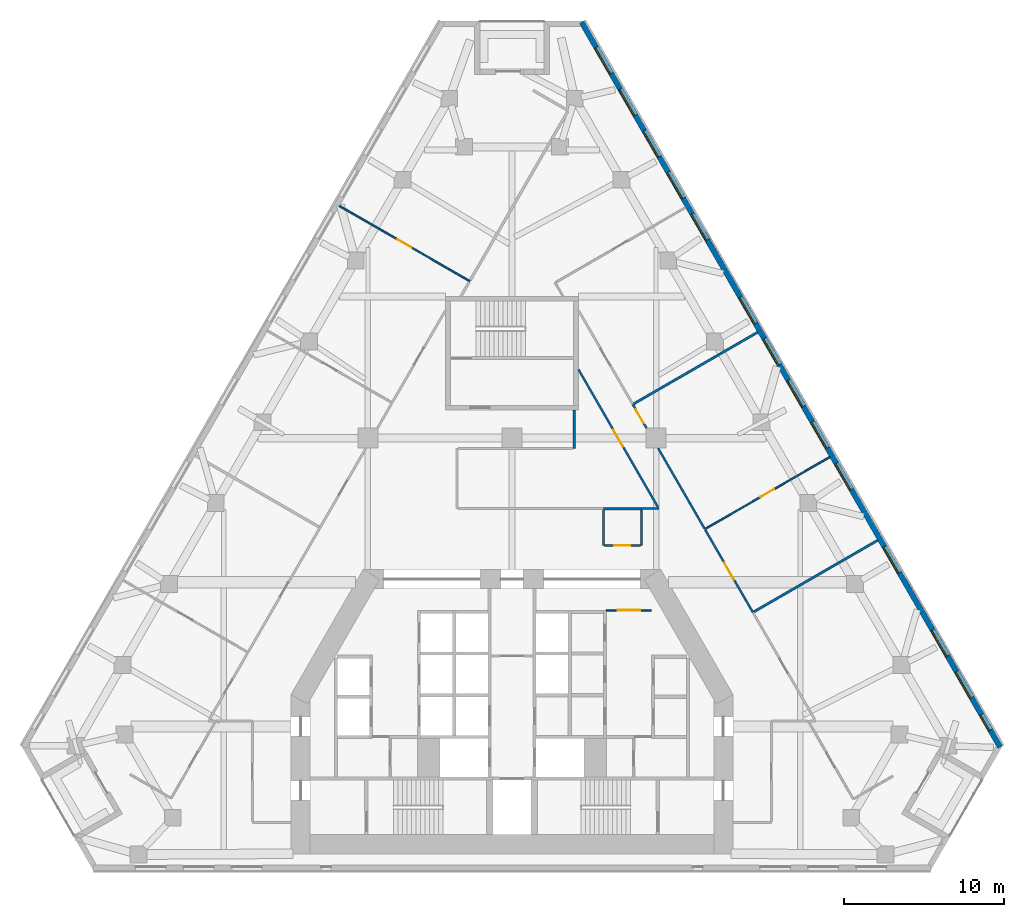
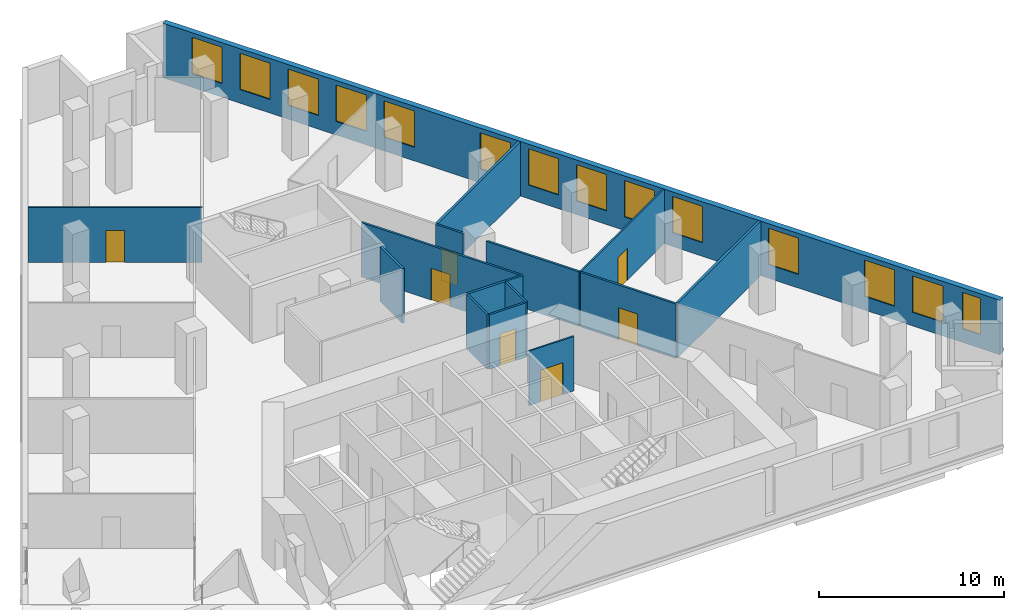
# One storey, part 7 of 9: 16 walls, 14 windows, 7 doors, 21 openings.
"""IFC4 building model written with IfcOpenShell, lengths in metres."""

import ifcopenshell
import ifcopenshell.guid

model = None  # the IFC model being written
_history = None  # IfcOwnerHistory: only IFC2X3 demands one
_inside = {}  # id of a spatial element -> (the spatial element, [elements in it])
_under = {}  # id of a project, library or spatial element -> (it, [spatial elements below it])
_declared = {}  # id of a project -> (the project, [libraries it declares])
_typed = {}  # id of a type object -> (the type object, [elements of that type])
_made_of = {}  # id of a material, layer set ... -> (it, [elements and type objects made of it])


def new_model(schema):
    """Start an empty IFC model of exactly this schema.

    Asked for "IFC4X3", IfcOpenShell would pick the latest addendum, in which some entities
    have other attributes; the version numbers below select the first issue.
    IFC2X3 requires an IfcOwnerHistory on every rooted entity: one is made here for all.
    """
    global model, _history
    if schema == "IFC4X3":
        model = ifcopenshell.file(schema_version=(4, 3, 0, 0))
    else:
        model = ifcopenshell.file(schema=schema)
    _inside.clear()
    _under.clear()
    _declared.clear()
    _typed.clear()
    _made_of.clear()
    _history = None
    if model.schema == "IFC2X3":
        org = make("IfcOrganization", Name="unknown")
        user = make(
            "IfcPersonAndOrganization",
            ThePerson=make("IfcPerson", FamilyName="unknown"),
            TheOrganization=org,
        )
        app = make(
            "IfcApplication",
            ApplicationDeveloper=org,
            Version="unknown",
            ApplicationFullName="unknown",
            ApplicationIdentifier="unknown",
        )
        _history = make(
            "IfcOwnerHistory",
            OwningUser=user,
            OwningApplication=app,
            ChangeAction="ADDED",
            CreationDate=0,
        )
    return model


def make(cls, **values):
    """One entity of the class cls with the attributes given. An attribute that is None is left unset."""
    return model.create_entity(
        cls, **{name: value for name, value in values.items() if value is not None}
    )


def rooted(cls, **values):
    """An entity with a GlobalId (a new one), such as an element, a storey or a relation."""
    return make(cls, GlobalId=ifcopenshell.guid.new(), OwnerHistory=_history, **values)


def si_unit(unit_type, name, prefix=None):
    """IfcSIUnit, for example si_unit("LENGTHUNIT", "METRE", prefix="MILLI")."""
    return make("IfcSIUnit", UnitType=unit_type, Prefix=prefix, Name=name)


def assignment(units):
    """IfcUnitAssignment: the units of a project."""
    return None if units is None else make("IfcUnitAssignment", Units=units)


def point(xyz):
    """IfcCartesianPoint."""
    return None if xyz is None else make("IfcCartesianPoint", Coordinates=xyz)


def direction(xyz):
    """IfcDirection."""
    return None if xyz is None else make("IfcDirection", DirectionRatios=xyz)


def frame(location, z_axis=None, x_axis=None):
    """IfcAxis2Placement3D, a coordinate frame: its origin and axes. An axis left out is left unset."""
    return make(
        "IfcAxis2Placement3D",
        Location=point(location),
        Axis=direction(z_axis),
        RefDirection=direction(x_axis),
    )


def frame_2d(location, x_axis=None):
    """IfcAxis2Placement2D, a coordinate frame in the plane: its origin and x axis."""
    return make(
        "IfcAxis2Placement2D", Location=point(location), RefDirection=direction(x_axis)
    )


def origin():
    """The frame at (0, 0, 0) with its axes left unset."""
    return frame((0.0, 0.0, 0.0))


def place(relative_to, where):
    """IfcLocalPlacement: puts the frame where relative to a parent placement (None: the world)."""
    return make(
        "IfcLocalPlacement", PlacementRelTo=relative_to, RelativePlacement=where
    )


def context(
    kind, dimensions, precision=None, world=None, true_north=None, identifier=None
):
    """IfcGeometricRepresentationContext, for example the 3D "Model" context."""
    return make(
        "IfcGeometricRepresentationContext",
        ContextIdentifier=identifier,
        ContextType=kind,
        CoordinateSpaceDimension=dimensions,
        Precision=precision,
        WorldCoordinateSystem=world,
        TrueNorth=true_north,
    )


def subcontext(parent, identifier, kind, view, scale=None):
    """IfcGeometricRepresentationSubContext, for example "Body" below "Model"."""
    return make(
        "IfcGeometricRepresentationSubContext",
        ContextIdentifier=identifier,
        ContextType=kind,
        ParentContext=parent,
        TargetScale=scale,
        TargetView=view,
    )


def project(units=None, contexts=None):
    """IfcProject with its units and contexts."""
    return rooted(
        "IfcProject",
        Name="project",
        RepresentationContexts=contexts,
        UnitsInContext=assignment(units),
    )


def spatial(cls, under=None, at=None, **own):
    """A site, building, storey or space (cls), placed at a placement, below another one or the project."""
    s = rooted(cls, ObjectPlacement=at, **own)
    if under is not None:
        _under.setdefault(under.id(), (under, []))[1].append(s)
    return s


def profile(cls, at=None, kind="AREA", **sizes):
    """A parametric profile (cls). Its sizes go by their IFC names, for example OverallWidth=200.0."""
    return make(cls, ProfileType=kind, Position=at, **sizes)


def rectangle(**sizes):
    """IfcRectangleProfileDef."""
    return profile("IfcRectangleProfileDef", **sizes)


def extrude(swept, where, along, depth):
    """IfcExtrudedAreaSolid: the profile swept, set in the frame where, extruded along a direction by depth."""
    return make(
        "IfcExtrudedAreaSolid",
        SweptArea=swept,
        Position=where,
        ExtrudedDirection=direction(along),
        Depth=depth,
    )


def shape(context_of_items, identifier, shape_type, items):
    """IfcShapeRepresentation: the items that make up one representation, for example the "Body"."""
    return make(
        "IfcShapeRepresentation",
        ContextOfItems=context_of_items,
        RepresentationIdentifier=identifier,
        RepresentationType=shape_type,
        Items=items,
    )


def material(Name=None, Category=None):
    """IfcMaterial."""
    return make("IfcMaterial", Name=Name, Category=Category)


def layer(
    of_material, thickness, ventilated=None, Name=None, Category=None, Priority=None
):
    """IfcMaterialLayer: one layer of a wall or slab, of a material (None: an air gap)."""
    return make(
        "IfcMaterialLayer",
        Material=of_material,
        LayerThickness=thickness,
        IsVentilated=ventilated,
        Name=Name,
        Category=Category,
        Priority=Priority,
    )


def layer_set(layers, Name=None):
    """IfcMaterialLayerSet."""
    return make("IfcMaterialLayerSet", MaterialLayers=layers, LayerSetName=Name)


def made_of(thing, what):
    """Note that an element or type object is made of a material, layer set ...; save() writes the relation."""
    if what is not None:
        _made_of.setdefault(what.id(), (what, []))[1].append(thing)
    return thing


def type_object(cls, material=None, **own):
    """A type object (cls), such as IfcWallType, which elements share."""
    return made_of(rooted(cls, **own), material)


def element(
    cls,
    number,
    at=None,
    inside=None,
    cuts=None,
    type_object=None,
    material=None,
    context=None,
    identifier="Body",
    shape_type=None,
    held_by="IfcProductDefinitionShape",
    body=None,
    shapes=None,
    **own,
):
    """One element of the class cls, such as IfcWall. Its Tag is "e" and its number.

    at: its placement. inside: the storey or other place that contains it. cuts: it is an
    opening in that element (IfcRelVoidsElement). A single representation is given by context,
    identifier, shape_type and body (its items); several are given by shapes. held_by: the class
    of the entity that holds the representations. save() writes the other relations.
    """
    e = rooted(cls, Tag="e%d" % number, ObjectPlacement=at, **own)
    if body is not None:
        shapes = [shape(context, identifier, shape_type, body)]
    if shapes is not None:
        e.Representation = make(held_by, Representations=shapes)
    if inside is not None:
        _inside.setdefault(inside.id(), (inside, []))[1].append(e)
    if cuts is not None:
        rooted(
            "IfcRelVoidsElement", RelatingBuildingElement=cuts, RelatedOpeningElement=e
        )
    if type_object is not None:
        _typed.setdefault(type_object.id(), (type_object, []))[1].append(e)
    return made_of(e, material)


def fill(opening, filler):
    """IfcRelFillsElement: the door or window that sits in an opening."""
    return rooted(
        "IfcRelFillsElement",
        RelatingOpeningElement=opening,
        RelatedBuildingElement=filler,
    )


def aggregate(whole, parts):
    """IfcRelAggregates: a whole, such as a stair, and the parts it consists of."""
    return rooted("IfcRelAggregates", RelatingObject=whole, RelatedObjects=parts)


def save(model, path):
    """Write the relations noted so far, then the file.

    IfcRelAggregates (storeys below a building ...), IfcRelContainedInSpatialStructure (elements
    in a storey), IfcRelDefinesByType, IfcRelAssociatesMaterial and IfcRelDeclares: one each for
    every whole, place, type object, material and project.
    """
    for whole, parts in _under.values():
        aggregate(whole, parts)
    for where, things in _inside.values():
        rooted(
            "IfcRelContainedInSpatialStructure",
            RelatedElements=things,
            RelatingStructure=where,
        )
    for kind, things in _typed.values():
        rooted("IfcRelDefinesByType", RelatedObjects=things, RelatingType=kind)
    for what, things in _made_of.values():
        rooted("IfcRelAssociatesMaterial", RelatedObjects=things, RelatingMaterial=what)
    for by, libraries in _declared.values():
        rooted("IfcRelDeclares", RelatingContext=by, RelatedDefinitions=libraries)
    model.write(path)


model = new_model("IFC4")

# Units and contexts
model_context = context("Model", 3, precision=1e-05, world=origin(), true_north=direction((0.0, 1.0)))
body_context = subcontext(model_context, "Body", "Model", "MODEL_VIEW")
ifc_project = project(units=[si_unit("LENGTHUNIT", "METRE"), si_unit("AREAUNIT", "SQUARE_METRE"), si_unit("VOLUMEUNIT", "CUBIC_METRE"), si_unit("PLANEANGLEUNIT", "RADIAN"), si_unit("MASSUNIT", "GRAM", prefix="KILO")], contexts=[model_context])

# Site, building, storey
site_placement = place(None, origin())
site = spatial("IfcSite", under=ifc_project, at=site_placement, CompositionType="ELEMENT")
building_placement = place(site_placement, origin())
building = spatial("IfcBuilding", under=site, at=building_placement, Name="Fogline Exchange Tower", CompositionType="ELEMENT")
storey_placement = place(building_placement, frame((0.0, 0.0, 96.10009765625)))
storey = spatial("IfcBuildingStorey", under=building, at=storey_placement, Name="L20", CompositionType="ELEMENT", Elevation=96.10009765625)

# Wall, opening, door
ifc_material_1 = material(Name="Blockwork partition", Category="masonry")
ifc_layer_1 = layer(ifc_material_1, 0.10009765625)
ifc_layer_set_1 = layer_set([ifc_layer_1], Name="CW10")
wall_type_1 = type_object("IfcWallType", Name="CW10", PredefinedType="PARTITIONING", material=ifc_layer_set_1)
wall_1_placement = place(storey_placement, frame((5.89990234375, 16.25, 0.0), z_axis=(0.0, 0.0, 1.0), x_axis=(1.0, 0.0, 0.0)))
wall_1 = element("IfcWall", 1, at=wall_1_placement, inside=storey, type_object=wall_type_1, Name="Lift lobby partition", PredefinedType="PARTITIONING", context=body_context, shape_type="SweptSolid", body=[
    extrude(rectangle(XDim=2.800048828125, YDim=0.10009765625, at=frame_2d((1.39990234375, 0.0))), origin(), (0.0, 0.0, 1.0), 3.599853515625),
])
opening_1_placement = place(wall_1_placement, frame((0.699951171875, 0.0, 0.0)))
opening_1 = element("IfcOpeningElement", 2, at=opening_1_placement, cuts=wall_1, Name="Opening T06-C012", PredefinedType="OPENING", context=body_context, shape_type="SweptSolid", body=[
    extrude(rectangle(XDim=1.39990234375, YDim=2.10009765625, at=frame_2d((0.699951171875, 1.050048828125))), frame((0.0, 0.06005859375, 0.0), z_axis=(0.0, -1.0, 0.0), x_axis=(1.0, 0.0, 0.0)), (0.0, 0.0, 1.0), 0.1201171875),
])
ifc_material_2 = material(Name="Steel and timber fire door", Category="steel")
door_type_1 = type_object("IfcDoorType", Name="D-LB1", OperationType="DOUBLE_DOOR_SINGLE_SWING", PredefinedType="DOOR", material=ifc_material_2)
door_1_placement = place(opening_1_placement, origin())
door_1 = element("IfcDoor", 3, at=door_1_placement, inside=storey, type_object=door_type_1, Name="Door to lift lobby", OperationType="DOUBLE_DOOR_SINGLE_SWING", OverallHeight=2.10009765625, OverallWidth=1.39990234375, PredefinedType="DOOR", context=body_context, shape_type="SweptSolid", body=[
    extrude(rectangle(XDim=1.39990234375, YDim=2.10009765625, at=frame_2d((0.699951171875, 1.050048828125))), frame((0.0, 0.02490234375, 0.0), z_axis=(0.0, -1.0, 0.0), x_axis=(1.0, 0.0, 0.0)), (0.0, 0.0, 1.0), 0.050048828125),
])
fill(opening_1, door_1)

# Wall, openings, windows
ifc_material_3 = material(Name="Brick masonry", Category="masonry")
ifc_layer_2 = layer(ifc_material_3, 0.340087890625)
ifc_layer_set_2 = layer_set([ifc_layer_2], Name="FW1")
wall_type_2 = type_object("IfcWallType", Name="FW1", PredefinedType="SOLIDWALL", material=ifc_layer_set_2)
wall_2_placement = place(storey_placement, frame((30.49072265625, 7.709228515625, 0.0), z_axis=(0.0, 0.0, 1.0), x_axis=(-0.499998162791, 0.866026464495, 0.0)))
wall_2 = element("IfcWall", 4, at=wall_2_placement, inside=storey, type_object=wall_type_2, Name="Brick wall L20 E", PredefinedType="SOLIDWALL", context=body_context, shape_type="SweptSolid", body=[
    extrude(rectangle(XDim=52.276123046875, YDim=0.340087890625, at=frame_2d((26.13818359375, 0.0))), origin(), (0.0, 0.0, 1.0), 3.599853515625),
])
opening_2_placement = place(wall_2_placement, frame((3.569091796875, 0.0, 0.89990234375)))
opening_2 = element("IfcOpeningElement", 5, at=opening_2_placement, cuts=wall_2, Name="Opening W1", PredefinedType="OPENING", context=body_context, shape_type="SweptSolid", body=[
    extrude(rectangle(XDim=1.885009765625, YDim=2.39990234375, at=frame_2d((0.9423828125, 1.199951171875))), frame((0.0, 0.18017578125, 0.0), z_axis=(0.0, -1.0, 0.0), x_axis=(1.0, 0.0, 0.0)), (0.0, 0.0, 1.0), 0.360107421875),
])
opening_3_placement = place(wall_2_placement, frame((6.569091796875, 0.0, 0.89990234375)))
opening_3 = element("IfcOpeningElement", 6, at=opening_3_placement, cuts=wall_2, Name="Opening W1", PredefinedType="OPENING", context=body_context, shape_type="SweptSolid", body=[
    extrude(rectangle(XDim=1.885009765625, YDim=2.39990234375, at=frame_2d((0.9423828125, 1.199951171875))), frame((0.0, 0.18017578125, 0.0), z_axis=(0.0, -1.0, 0.0), x_axis=(1.0, 0.0, 0.0)), (0.0, 0.0, 1.0), 0.360107421875),
])
opening_4_placement = place(wall_2_placement, frame((12.569091796875, 0.0, 0.89990234375)))
opening_4 = element("IfcOpeningElement", 7, at=opening_4_placement, cuts=wall_2, Name="Opening W1", PredefinedType="OPENING", context=body_context, shape_type="SweptSolid", body=[
    extrude(rectangle(XDim=1.885009765625, YDim=2.39990234375, at=frame_2d((0.9423828125, 1.199951171875))), frame((0.0, 0.18017578125, 0.0), z_axis=(0.0, -1.0, 0.0), x_axis=(1.0, 0.0, 0.0)), (0.0, 0.0, 1.0), 0.360107421875),
])
opening_5_placement = place(wall_2_placement, frame((18.569091796875, 0.0, 0.89990234375)))
opening_5 = element("IfcOpeningElement", 8, at=opening_5_placement, cuts=wall_2, Name="Opening W1", PredefinedType="OPENING", context=body_context, shape_type="SweptSolid", body=[
    extrude(rectangle(XDim=1.885009765625, YDim=2.39990234375, at=frame_2d((0.9423828125, 1.199951171875))), frame((0.0, 0.18017578125, 0.0), z_axis=(0.0, -1.0, 0.0), x_axis=(1.0, 0.0, 0.0)), (0.0, 0.0, 1.0), 0.360107421875),
])
opening_6_placement = place(wall_2_placement, frame((21.569091796875, 0.0, 0.89990234375)))
opening_6 = element("IfcOpeningElement", 9, at=opening_6_placement, cuts=wall_2, Name="Opening W1", PredefinedType="OPENING", context=body_context, shape_type="SweptSolid", body=[
    extrude(rectangle(XDim=1.885009765625, YDim=2.39990234375, at=frame_2d((0.9423828125, 1.199951171875))), frame((0.0, 0.18017578125, 0.0), z_axis=(0.0, -1.0, 0.0), x_axis=(1.0, 0.0, 0.0)), (0.0, 0.0, 1.0), 0.360107421875),
])
opening_7_placement = place(wall_2_placement, frame((24.569091796875, 0.0, 0.89990234375)))
opening_7 = element("IfcOpeningElement", 10, at=opening_7_placement, cuts=wall_2, Name="Opening W1", PredefinedType="OPENING", context=body_context, shape_type="SweptSolid", body=[
    extrude(rectangle(XDim=1.885009765625, YDim=2.39990234375, at=frame_2d((0.9423828125, 1.199951171875))), frame((0.0, 0.18017578125, 0.0), z_axis=(0.0, -1.0, 0.0), x_axis=(1.0, 0.0, 0.0)), (0.0, 0.0, 1.0), 0.360107421875),
])
opening_8_placement = place(wall_2_placement, frame((27.569091796875, 0.0, 0.89990234375)))
opening_8 = element("IfcOpeningElement", 11, at=opening_8_placement, cuts=wall_2, Name="Opening W1", PredefinedType="OPENING", context=body_context, shape_type="SweptSolid", body=[
    extrude(rectangle(XDim=1.885009765625, YDim=2.39990234375, at=frame_2d((0.9423828125, 1.199951171875))), frame((0.0, 0.18017578125, 0.0), z_axis=(0.0, -1.0, 0.0), x_axis=(1.0, 0.0, 0.0)), (0.0, 0.0, 1.0), 0.360107421875),
])
opening_9_placement = place(wall_2_placement, frame((30.569091796875, 0.0, 0.89990234375)))
opening_9 = element("IfcOpeningElement", 12, at=opening_9_placement, cuts=wall_2, Name="Opening W1", PredefinedType="OPENING", context=body_context, shape_type="SweptSolid", body=[
    extrude(rectangle(XDim=1.885009765625, YDim=2.39990234375, at=frame_2d((0.9423828125, 1.199951171875))), frame((0.0, 0.18017578125, 0.0), z_axis=(0.0, -1.0, 0.0), x_axis=(1.0, 0.0, 0.0)), (0.0, 0.0, 1.0), 0.360107421875),
])
opening_10_placement = place(wall_2_placement, frame((36.569091796875, 0.0, 0.89990234375)))
opening_10 = element("IfcOpeningElement", 13, at=opening_10_placement, cuts=wall_2, Name="Opening W1", PredefinedType="OPENING", context=body_context, shape_type="SweptSolid", body=[
    extrude(rectangle(XDim=1.885009765625, YDim=2.39990234375, at=frame_2d((0.9423828125, 1.199951171875))), frame((0.0, 0.18017578125, 0.0), z_axis=(0.0, -1.0, 0.0), x_axis=(1.0, 0.0, 0.0)), (0.0, 0.0, 1.0), 0.360107421875),
])
opening_11_placement = place(wall_2_placement, frame((39.569091796875, 0.0, 0.89990234375)))
opening_11 = element("IfcOpeningElement", 14, at=opening_11_placement, cuts=wall_2, Name="Opening W1", PredefinedType="OPENING", context=body_context, shape_type="SweptSolid", body=[
    extrude(rectangle(XDim=1.885009765625, YDim=2.39990234375, at=frame_2d((0.9423828125, 1.199951171875))), frame((0.0, 0.18017578125, 0.0), z_axis=(0.0, -1.0, 0.0), x_axis=(1.0, 0.0, 0.0)), (0.0, 0.0, 1.0), 0.360107421875),
])
opening_12_placement = place(wall_2_placement, frame((42.569091796875, 0.0, 0.89990234375)))
opening_12 = element("IfcOpeningElement", 15, at=opening_12_placement, cuts=wall_2, Name="Opening W1", PredefinedType="OPENING", context=body_context, shape_type="SweptSolid", body=[
    extrude(rectangle(XDim=1.885009765625, YDim=2.39990234375, at=frame_2d((0.9423828125, 1.199951171875))), frame((0.0, 0.18017578125, 0.0), z_axis=(0.0, -1.0, 0.0), x_axis=(1.0, 0.0, 0.0)), (0.0, 0.0, 1.0), 0.360107421875),
])
opening_13_placement = place(wall_2_placement, frame((45.569091796875, 0.0, 0.89990234375)))
opening_13 = element("IfcOpeningElement", 16, at=opening_13_placement, cuts=wall_2, Name="Opening W1", PredefinedType="OPENING", context=body_context, shape_type="SweptSolid", body=[
    extrude(rectangle(XDim=1.885009765625, YDim=2.39990234375, at=frame_2d((0.9423828125, 1.199951171875))), frame((0.0, 0.18017578125, 0.0), z_axis=(0.0, -1.0, 0.0), x_axis=(1.0, 0.0, 0.0)), (0.0, 0.0, 1.0), 0.360107421875),
])
opening_14_placement = place(wall_2_placement, frame((48.569091796875, 0.0, 0.89990234375)))
opening_14 = element("IfcOpeningElement", 17, at=opening_14_placement, cuts=wall_2, Name="Opening W1", PredefinedType="OPENING", context=body_context, shape_type="SweptSolid", body=[
    extrude(rectangle(XDim=1.885009765625, YDim=2.39990234375, at=frame_2d((0.9423828125, 1.199951171875))), frame((0.0, 0.18017578125, 0.0), z_axis=(0.0, -1.0, 0.0), x_axis=(1.0, 0.0, 0.0)), (0.0, 0.0, 1.0), 0.360107421875),
])
opening_15_placement = place(wall_2_placement, frame((1.22705078125, 0.0, 0.89990234375)))
opening_15 = element("IfcOpeningElement", 18, at=opening_15_placement, cuts=wall_2, Name="Opening W4", PredefinedType="OPENING", context=body_context, shape_type="SweptSolid", body=[
    extrude(rectangle(XDim=1.114990234375, YDim=2.39990234375, at=frame_2d((0.5576171875, 1.199951171875))), frame((0.0, 0.18017578125, 0.0), z_axis=(0.0, -1.0, 0.0), x_axis=(1.0, 0.0, 0.0)), (0.0, 0.0, 1.0), 0.360107421875),
])
ifc_material_4 = material(Name="Aluminium and glass", Category="aluminium")
window_type_1 = type_object("IfcWindowType", Name="W1", PartitioningType="SINGLE_PANEL", PredefinedType="WINDOW", material=ifc_material_4)
window_1_placement = place(opening_2_placement, origin())
window_1 = element("IfcWindow", 19, at=window_1_placement, inside=storey, type_object=window_type_1, Name="W1 W1", OverallHeight=2.39990234375, OverallWidth=1.885009765625, PartitioningType="SINGLE_PANEL", PredefinedType="WINDOW", context=body_context, shape_type="SweptSolid", body=[
    extrude(rectangle(XDim=1.885009765625, YDim=2.39990234375, at=frame_2d((0.9423828125, 1.199951171875))), frame((0.0, 0.110107421875, 0.0), z_axis=(0.0, -1.0, 0.0), x_axis=(1.0, 0.0, 0.0)), (0.0, 0.0, 1.0), 0.06005859375),
])
fill(opening_2, window_1)
window_2_placement = place(opening_3_placement, origin())
window_2 = element("IfcWindow", 20, at=window_2_placement, inside=storey, type_object=window_type_1, Name="W1 W1", OverallHeight=2.39990234375, OverallWidth=1.885009765625, PartitioningType="SINGLE_PANEL", PredefinedType="WINDOW", context=body_context, shape_type="SweptSolid", body=[
    extrude(rectangle(XDim=1.885009765625, YDim=2.39990234375, at=frame_2d((0.9423828125, 1.199951171875))), frame((0.0, 0.110107421875, 0.0), z_axis=(0.0, -1.0, 0.0), x_axis=(1.0, 0.0, 0.0)), (0.0, 0.0, 1.0), 0.06005859375),
])
fill(opening_3, window_2)
window_3_placement = place(opening_4_placement, origin())
window_3 = element("IfcWindow", 21, at=window_3_placement, inside=storey, type_object=window_type_1, Name="W1 W1", OverallHeight=2.39990234375, OverallWidth=1.885009765625, PartitioningType="SINGLE_PANEL", PredefinedType="WINDOW", context=body_context, shape_type="SweptSolid", body=[
    extrude(rectangle(XDim=1.885009765625, YDim=2.39990234375, at=frame_2d((0.9423828125, 1.199951171875))), frame((0.0, 0.110107421875, 0.0), z_axis=(0.0, -1.0, 0.0), x_axis=(1.0, 0.0, 0.0)), (0.0, 0.0, 1.0), 0.06005859375),
])
fill(opening_4, window_3)
window_4_placement = place(opening_5_placement, origin())
window_4 = element("IfcWindow", 22, at=window_4_placement, inside=storey, type_object=window_type_1, Name="W1 W1", OverallHeight=2.39990234375, OverallWidth=1.885009765625, PartitioningType="SINGLE_PANEL", PredefinedType="WINDOW", context=body_context, shape_type="SweptSolid", body=[
    extrude(rectangle(XDim=1.885009765625, YDim=2.39990234375, at=frame_2d((0.9423828125, 1.199951171875))), frame((0.0, 0.110107421875, 0.0), z_axis=(0.0, -1.0, 0.0), x_axis=(1.0, 0.0, 0.0)), (0.0, 0.0, 1.0), 0.06005859375),
])
fill(opening_5, window_4)
window_5_placement = place(opening_6_placement, origin())
window_5 = element("IfcWindow", 23, at=window_5_placement, inside=storey, type_object=window_type_1, Name="W1 W1", OverallHeight=2.39990234375, OverallWidth=1.885009765625, PartitioningType="SINGLE_PANEL", PredefinedType="WINDOW", context=body_context, shape_type="SweptSolid", body=[
    extrude(rectangle(XDim=1.885009765625, YDim=2.39990234375, at=frame_2d((0.9423828125, 1.199951171875))), frame((0.0, 0.110107421875, 0.0), z_axis=(0.0, -1.0, 0.0), x_axis=(1.0, 0.0, 0.0)), (0.0, 0.0, 1.0), 0.06005859375),
])
fill(opening_6, window_5)
window_6_placement = place(opening_7_placement, origin())
window_6 = element("IfcWindow", 24, at=window_6_placement, inside=storey, type_object=window_type_1, Name="W1 W1", OverallHeight=2.39990234375, OverallWidth=1.885009765625, PartitioningType="SINGLE_PANEL", PredefinedType="WINDOW", context=body_context, shape_type="SweptSolid", body=[
    extrude(rectangle(XDim=1.885009765625, YDim=2.39990234375, at=frame_2d((0.9423828125, 1.199951171875))), frame((0.0, 0.110107421875, 0.0), z_axis=(0.0, -1.0, 0.0), x_axis=(1.0, 0.0, 0.0)), (0.0, 0.0, 1.0), 0.06005859375),
])
fill(opening_7, window_6)
window_7_placement = place(opening_8_placement, origin())
window_7 = element("IfcWindow", 25, at=window_7_placement, inside=storey, type_object=window_type_1, Name="W1 W1", OverallHeight=2.39990234375, OverallWidth=1.885009765625, PartitioningType="SINGLE_PANEL", PredefinedType="WINDOW", context=body_context, shape_type="SweptSolid", body=[
    extrude(rectangle(XDim=1.885009765625, YDim=2.39990234375, at=frame_2d((0.9423828125, 1.199951171875))), frame((0.0, 0.110107421875, 0.0), z_axis=(0.0, -1.0, 0.0), x_axis=(1.0, 0.0, 0.0)), (0.0, 0.0, 1.0), 0.06005859375),
])
fill(opening_8, window_7)
window_8_placement = place(opening_9_placement, origin())
window_8 = element("IfcWindow", 26, at=window_8_placement, inside=storey, type_object=window_type_1, Name="W1 W1", OverallHeight=2.39990234375, OverallWidth=1.885009765625, PartitioningType="SINGLE_PANEL", PredefinedType="WINDOW", context=body_context, shape_type="SweptSolid", body=[
    extrude(rectangle(XDim=1.885009765625, YDim=2.39990234375, at=frame_2d((0.9423828125, 1.199951171875))), frame((0.0, 0.110107421875, 0.0), z_axis=(0.0, -1.0, 0.0), x_axis=(1.0, 0.0, 0.0)), (0.0, 0.0, 1.0), 0.06005859375),
])
fill(opening_9, window_8)
window_9_placement = place(opening_10_placement, origin())
window_9 = element("IfcWindow", 27, at=window_9_placement, inside=storey, type_object=window_type_1, Name="W1 W1", OverallHeight=2.39990234375, OverallWidth=1.885009765625, PartitioningType="SINGLE_PANEL", PredefinedType="WINDOW", context=body_context, shape_type="SweptSolid", body=[
    extrude(rectangle(XDim=1.885009765625, YDim=2.39990234375, at=frame_2d((0.9423828125, 1.199951171875))), frame((0.0, 0.110107421875, 0.0), z_axis=(0.0, -1.0, 0.0), x_axis=(1.0, 0.0, 0.0)), (0.0, 0.0, 1.0), 0.06005859375),
])
fill(opening_10, window_9)
window_10_placement = place(opening_11_placement, origin())
window_10 = element("IfcWindow", 28, at=window_10_placement, inside=storey, type_object=window_type_1, Name="W1 W1", OverallHeight=2.39990234375, OverallWidth=1.885009765625, PartitioningType="SINGLE_PANEL", PredefinedType="WINDOW", context=body_context, shape_type="SweptSolid", body=[
    extrude(rectangle(XDim=1.885009765625, YDim=2.39990234375, at=frame_2d((0.9423828125, 1.199951171875))), frame((0.0, 0.110107421875, 0.0), z_axis=(0.0, -1.0, 0.0), x_axis=(1.0, 0.0, 0.0)), (0.0, 0.0, 1.0), 0.06005859375),
])
fill(opening_11, window_10)
window_11_placement = place(opening_12_placement, origin())
window_11 = element("IfcWindow", 29, at=window_11_placement, inside=storey, type_object=window_type_1, Name="W1 W1", OverallHeight=2.39990234375, OverallWidth=1.885009765625, PartitioningType="SINGLE_PANEL", PredefinedType="WINDOW", context=body_context, shape_type="SweptSolid", body=[
    extrude(rectangle(XDim=1.885009765625, YDim=2.39990234375, at=frame_2d((0.9423828125, 1.199951171875))), frame((0.0, 0.110107421875, 0.0), z_axis=(0.0, -1.0, 0.0), x_axis=(1.0, 0.0, 0.0)), (0.0, 0.0, 1.0), 0.06005859375),
])
fill(opening_12, window_11)
window_12_placement = place(opening_13_placement, origin())
window_12 = element("IfcWindow", 30, at=window_12_placement, inside=storey, type_object=window_type_1, Name="W1 W1", OverallHeight=2.39990234375, OverallWidth=1.885009765625, PartitioningType="SINGLE_PANEL", PredefinedType="WINDOW", context=body_context, shape_type="SweptSolid", body=[
    extrude(rectangle(XDim=1.885009765625, YDim=2.39990234375, at=frame_2d((0.9423828125, 1.199951171875))), frame((0.0, 0.110107421875, 0.0), z_axis=(0.0, -1.0, 0.0), x_axis=(1.0, 0.0, 0.0)), (0.0, 0.0, 1.0), 0.06005859375),
])
fill(opening_13, window_12)
window_13_placement = place(opening_14_placement, origin())
window_13 = element("IfcWindow", 31, at=window_13_placement, inside=storey, type_object=window_type_1, Name="W1 W1", OverallHeight=2.39990234375, OverallWidth=1.885009765625, PartitioningType="SINGLE_PANEL", PredefinedType="WINDOW", context=body_context, shape_type="SweptSolid", body=[
    extrude(rectangle(XDim=1.885009765625, YDim=2.39990234375, at=frame_2d((0.9423828125, 1.199951171875))), frame((0.0, 0.110107421875, 0.0), z_axis=(0.0, -1.0, 0.0), x_axis=(1.0, 0.0, 0.0)), (0.0, 0.0, 1.0), 0.06005859375),
])
fill(opening_14, window_13)
window_type_2 = type_object("IfcWindowType", Name="W4", PartitioningType="SINGLE_PANEL", PredefinedType="WINDOW", material=ifc_material_4)
window_14_placement = place(opening_15_placement, origin())
window_14 = element("IfcWindow", 32, at=window_14_placement, inside=storey, type_object=window_type_2, Name="W4 W4", OverallHeight=2.39990234375, OverallWidth=1.114990234375, PartitioningType="SINGLE_PANEL", PredefinedType="WINDOW", context=body_context, shape_type="SweptSolid", body=[
    extrude(rectangle(XDim=1.114990234375, YDim=2.39990234375, at=frame_2d((0.5576171875, 1.199951171875))), frame((0.0, 0.110107421875, 0.0), z_axis=(0.0, -1.0, 0.0), x_axis=(1.0, 0.0, 0.0)), (0.0, 0.0, 1.0), 0.06005859375),
])
fill(opening_15, window_14)

# Wall, opening, door
ifc_material_5 = material(Name="Plasterboard partition, 2 layers each side on steel studs", Category="steel")
ifc_layer_3 = layer(ifc_material_5, 0.10009765625)
ifc_layer_set_3 = layer_set([ifc_layer_3], Name="PW1")
wall_type_3 = type_object("IfcWallType", Name="PW1", PredefinedType="PARTITIONING", material=ifc_layer_set_3)
wall_3_placement = place(storey_placement, frame((12.043701171875, 21.32080078125, 0.0), z_axis=(0.0, 0.0, 1.0), x_axis=(0.866024315419, 0.5000018851, 0.0)))
wall_3 = element("IfcWall", 33, at=wall_3_placement, inside=storey, type_object=wall_type_3, Name="wall-L20-W028", PredefinedType="PARTITIONING", context=body_context, shape_type="SweptSolid", body=[
    extrude(rectangle(XDim=9.0, YDim=0.10009765625, at=frame_2d((4.5, 0.0))), origin(), (0.0, 0.0, 1.0), 3.599853515625),
])
opening_16_placement = place(wall_3_placement, frame((4.0, 0.0, 0.0)))
opening_16 = element("IfcOpeningElement", 34, at=opening_16_placement, cuts=wall_3, Name="Opening T06-D013", PredefinedType="OPENING", context=body_context, shape_type="SweptSolid", body=[
    extrude(rectangle(XDim=1.0, YDim=2.10009765625, at=frame_2d((0.5, 1.050048828125))), frame((0.0, 0.06005859375, 0.0), z_axis=(0.0, -1.0, 0.0), x_axis=(1.0, 0.0, 0.0)), (0.0, 0.0, 1.0), 0.1201171875),
])
ifc_material_6 = material(Name="Timber door leaf with steel frame", Category="steel")
door_type_2 = type_object("IfcDoorType", Name="D1", OperationType="SINGLE_SWING_LEFT", PredefinedType="DOOR", material=ifc_material_6)
door_2_placement = place(opening_16_placement, frame((1.0, 0.0, 0.0), z_axis=(0.0, 0.0, 1.0), x_axis=(-1.0, 0.0, 0.0)))
door_2 = element("IfcDoor", 35, at=door_2_placement, inside=storey, type_object=door_type_2, Name="door-L20-D013", OperationType="SINGLE_SWING_RIGHT", OverallHeight=2.10009765625, OverallWidth=1.0, PredefinedType="DOOR", context=body_context, shape_type="SweptSolid", body=[
    extrude(rectangle(XDim=1.0, YDim=2.10009765625, at=frame_2d((0.5, 1.050048828125))), frame((0.0, 0.02490234375, 0.0), z_axis=(0.0, -1.0, 0.0), x_axis=(1.0, 0.0, 0.0)), (0.0, 0.0, 1.0), 0.050048828125),
])
fill(opening_16, door_2)

wall_4_placement = place(storey_placement, frame((-2.6396484375, 36.808837890625, 0.0), z_axis=(0.0, 0.0, 1.0), x_axis=(-0.866027286158, 0.499996739618, 0.0)))
wall_4 = element("IfcWall", 36, at=wall_4_placement, inside=storey, type_object=wall_type_3, Name="wall-L20-W038", PredefinedType="PARTITIONING", context=body_context, shape_type="SweptSolid", body=[
    extrude(rectangle(XDim=9.39990234375, YDim=0.10009765625, at=frame_2d((4.699951171875, 0.0))), origin(), (0.0, 0.0, 1.0), 3.599853515625),
])
opening_17_placement = place(wall_4_placement, frame((4.199951171875, 0.0, 0.0)))
opening_17 = element("IfcOpeningElement", 37, at=opening_17_placement, cuts=wall_4, Name="Opening T06-D015", PredefinedType="OPENING", context=body_context, shape_type="SweptSolid", body=[
    extrude(rectangle(XDim=1.0, YDim=2.10009765625, at=frame_2d((0.5, 1.050048828125))), frame((0.0, 0.06005859375, 0.0), z_axis=(0.0, -1.0, 0.0), x_axis=(1.0, 0.0, 0.0)), (0.0, 0.0, 1.0), 0.1201171875),
])
door_3_placement = place(opening_17_placement, origin())
door_3 = element("IfcDoor", 38, at=door_3_placement, inside=storey, type_object=door_type_2, Name="door-L20-D015", OperationType="SINGLE_SWING_LEFT", OverallHeight=2.10009765625, OverallWidth=1.0, PredefinedType="DOOR", context=body_context, shape_type="SweptSolid", body=[
    extrude(rectangle(XDim=1.0, YDim=2.10009765625, at=frame_2d((0.5, 1.050048828125))), frame((0.0, 0.02490234375, 0.0), z_axis=(0.0, -1.0, 0.0), x_axis=(1.0, 0.0, 0.0)), (0.0, 0.0, 1.0), 0.050048828125),
])
fill(opening_17, door_3)

# Wall
ifc_material_7 = material(Name="Plasterboard corridor partition with mineral wool, 2 layers each side")
ifc_layer_4 = layer(ifc_material_7, 0.125)
ifc_layer_set_4 = layer_set([ifc_layer_4], Name="PW2")
wall_type_4 = type_object("IfcWallType", Name="PW2", PredefinedType="PARTITIONING", material=ifc_layer_set_4)
wall_5_placement = place(storey_placement, frame((5.699951171875, 22.5244140625, 0.0), z_axis=(0.0, 0.0, 1.0), x_axis=(0.0, -1.0, 0.0)))
element("IfcWall", 39, at=wall_5_placement, inside=storey, type_object=wall_type_4, Name="wall-L20-W003", PredefinedType="PARTITIONING", context=body_context, shape_type="SweptSolid", body=[
    extrude(rectangle(XDim=2.224365234375, YDim=0.125, at=frame_2d((1.1123046875, 0.0))), origin(), (0.0, 0.0, 1.0), 3.599853515625),
])

# Wall, opening, door
wall_6_placement = place(storey_placement, frame((5.762451171875, 20.300048828125, 0.0), z_axis=(0.0, 0.0, 1.0), x_axis=(1.0, 0.0, 0.0)))
wall_6 = element("IfcWall", 40, at=wall_6_placement, inside=storey, type_object=wall_type_4, Name="wall-L20-W004", PredefinedType="PARTITIONING", context=body_context, shape_type="SweptSolid", body=[
    extrude(rectangle(XDim=2.275146484375, YDim=0.125, at=frame_2d((1.1376953125, 0.0))), origin(), (0.0, 0.0, 1.0), 3.599853515625),
])
opening_18_placement = place(wall_6_placement, frame((0.637451171875, 0.0, 0.0)))
opening_18 = element("IfcOpeningElement", 41, at=opening_18_placement, cuts=wall_6, Name="Opening T06-D002", PredefinedType="OPENING", context=body_context, shape_type="SweptSolid", body=[
    extrude(rectangle(XDim=1.0, YDim=2.10009765625, at=frame_2d((0.5, 1.050048828125))), frame((0.0, 0.072509765625, 0.0), z_axis=(0.0, -1.0, 0.0), x_axis=(1.0, 0.0, 0.0)), (0.0, 0.0, 1.0), 0.14501953125),
])
ifc_material_8 = material(Name="Fire-rated timber door leaf with steel frame", Category="steel")
door_type_3 = type_object("IfcDoorType", Name="D3", OperationType="SINGLE_SWING_LEFT", PredefinedType="DOOR", material=ifc_material_8)
door_4_placement = place(opening_18_placement, origin())
door_4 = element("IfcDoor", 42, at=door_4_placement, inside=storey, type_object=door_type_3, Name="door-L20-D002", OperationType="SINGLE_SWING_LEFT", OverallHeight=2.10009765625, OverallWidth=1.0, PredefinedType="DOOR", context=body_context, shape_type="SweptSolid", body=[
    extrude(rectangle(XDim=1.0, YDim=2.10009765625, at=frame_2d((0.5, 1.050048828125))), frame((0.0, 0.02490234375, 0.0), z_axis=(0.0, -1.0, 0.0), x_axis=(1.0, 0.0, 0.0)), (0.0, 0.0, 1.0), 0.050048828125),
])
fill(opening_18, door_4)

# Walls
wall_7_placement = place(storey_placement, frame((8.10009765625, 20.300048828125, 0.0), z_axis=(0.0, 0.0, 1.0), x_axis=(0.0, 1.0, 0.0)))
element("IfcWall", 43, at=wall_7_placement, inside=storey, type_object=wall_type_4, Name="wall-L20-W005", PredefinedType="PARTITIONING", context=body_context, shape_type="SweptSolid", body=[
    extrude(rectangle(XDim=2.224853515625, YDim=0.125, at=frame_2d((1.1123046875, 0.0))), origin(), (0.0, 0.0, 1.0), 3.599853515625),
])
wall_8_placement = place(storey_placement, frame((8.10009765625, 22.60009765625, 0.0), z_axis=(0.0, 0.0, 1.0), x_axis=(1.0, 0.0, 0.0)))
element("IfcWall", 44, at=wall_8_placement, inside=storey, type_object=wall_type_4, Name="wall-L20-W007", PredefinedType="PARTITIONING", context=body_context, shape_type="SweptSolid", body=[
    extrude(rectangle(XDim=1.068603515625, YDim=0.125, at=frame_2d((0.5341796875, 0.0))), origin(), (0.0, 0.0, 1.0), 3.599853515625),
])

# Wall, opening, door
wall_9_placement = place(storey_placement, frame((12.06884765625, 21.277099609375, 0.0), z_axis=(0.0, 0.0, 1.0), x_axis=(0.500000694566, -0.866025002776, 0.0)))
wall_9 = element("IfcWall", 45, at=wall_9_placement, inside=storey, type_object=wall_type_4, Name="wall-L20-W019", PredefinedType="PARTITIONING", context=body_context, shape_type="SweptSolid", body=[
    extrude(rectangle(XDim=5.94970703125, YDim=0.125, at=frame_2d((2.974853515625, 0.0))), origin(), (0.0, 0.0, 1.0), 3.599853515625),
])
opening_19_placement = place(wall_9_placement, frame((2.374755859375, 0.0, 0.0)))
opening_19 = element("IfcOpeningElement", 46, at=opening_19_placement, cuts=wall_9, Name="Opening T06-D008", PredefinedType="OPENING", context=body_context, shape_type="SweptSolid", body=[
    extrude(rectangle(XDim=1.199951171875, YDim=2.10009765625, at=frame_2d((0.60009765625, 1.050048828125))), frame((0.0, 0.072509765625, 0.0), z_axis=(0.0, -1.0, 0.0), x_axis=(1.0, 0.0, 0.0)), (0.0, 0.0, 1.0), 0.14501953125),
])
ifc_material_9 = material(Name="Fire-rated glazed door leaf with steel frame", Category="steel")
door_type_4 = type_object("IfcDoorType", Name="D5", OperationType="SINGLE_SWING_LEFT", PredefinedType="DOOR", material=ifc_material_9)
door_5_placement = place(opening_19_placement, origin())
door_5 = element("IfcDoor", 47, at=door_5_placement, inside=storey, type_object=door_type_4, Name="door-L20-D008", OperationType="SINGLE_SWING_LEFT", OverallHeight=2.10009765625, OverallWidth=1.199951171875, PredefinedType="DOOR", context=body_context, shape_type="SweptSolid", body=[
    extrude(rectangle(XDim=1.199951171875, YDim=2.10009765625, at=frame_2d((0.60009765625, 1.050048828125))), frame((0.0, 0.02490234375, 0.0), z_axis=(0.0, -1.0, 0.0), x_axis=(1.0, 0.0, 0.0)), (0.0, 0.0, 1.0), 0.050048828125),
])
fill(opening_19, door_5)

wall_10_placement = place(storey_placement, frame((7.543701171875, 29.114990234375, 0.0), z_axis=(0.0, 0.0, 1.0), x_axis=(0.499939472521, -0.866060346521, 0.0)))
wall_10 = element("IfcWall", 48, at=wall_10_placement, inside=storey, type_object=wall_type_4, Name="wall-L20-W020", PredefinedType="PARTITIONING", context=body_context, shape_type="SweptSolid", body=[
    extrude(rectangle(XDim=1.720458984375, YDim=0.125, at=frame_2d((0.8603515625, 0.0))), origin(), (0.0, 0.0, 1.0), 3.599853515625),
])
opening_20_placement = place(wall_10_placement, frame((0.360107421875, 0.0, 0.0)))
opening_20 = element("IfcOpeningElement", 49, at=opening_20_placement, cuts=wall_10, Name="Opening T06-D009", PredefinedType="OPENING", context=body_context, shape_type="SweptSolid", body=[
    extrude(rectangle(XDim=1.0, YDim=2.10009765625, at=frame_2d((0.5, 1.050048828125))), frame((0.0, 0.072509765625, 0.0), z_axis=(0.0, -1.0, 0.0), x_axis=(1.0, 0.0, 0.0)), (0.0, 0.0, 1.0), 0.14501953125),
])
door_6_placement = place(opening_20_placement, origin())
door_6 = element("IfcDoor", 50, at=door_6_placement, inside=storey, type_object=door_type_3, Name="door-L20-D009", OperationType="SINGLE_SWING_LEFT", OverallHeight=2.10009765625, OverallWidth=1.0, PredefinedType="DOOR", context=body_context, shape_type="SweptSolid", body=[
    extrude(rectangle(XDim=1.0, YDim=2.10009765625, at=frame_2d((0.5, 1.050048828125))), frame((0.0, 0.02490234375, 0.0), z_axis=(0.0, -1.0, 0.0), x_axis=(1.0, 0.0, 0.0)), (0.0, 0.0, 1.0), 0.050048828125),
])
fill(opening_20, door_6)

# Wall
wall_11_placement = place(storey_placement, frame((9.12548828125, 26.375, 0.0), z_axis=(0.0, 0.0, 1.0), x_axis=(0.500001279396, -0.866024665123, 0.0)))
element("IfcWall", 51, at=wall_11_placement, inside=storey, type_object=wall_type_4, Name="wall-L20-W021", PredefinedType="PARTITIONING", context=body_context, shape_type="SweptSolid", body=[
    extrude(rectangle(XDim=5.78564453125, YDim=0.125, at=frame_2d((2.892822265625, 0.0))), origin(), (0.0, 0.0, 1.0), 3.599853515625),
])

# Wall, opening, door
wall_12_placement = place(storey_placement, frame((9.114501953125, 22.694091796875, 0.0), z_axis=(0.0, 0.0, 1.0), x_axis=(-0.500002695529, 0.866023847515, 0.0)))
wall_12 = element("IfcWall", 52, at=wall_12_placement, inside=storey, type_object=wall_type_4, Name="wall-L20-W023", PredefinedType="PARTITIONING", context=body_context, shape_type="SweptSolid", body=[
    extrude(rectangle(XDim=9.92919921875, YDim=0.125, at=frame_2d((4.964599609375, 0.0))), origin(), (0.0, 0.0, 1.0), 3.599853515625),
])
opening_21_placement = place(wall_12_placement, frame((4.364501953125, 0.0, 0.0)))
opening_21 = element("IfcOpeningElement", 53, at=opening_21_placement, cuts=wall_12, Name="Opening T06-D011", PredefinedType="OPENING", context=body_context, shape_type="SweptSolid", body=[
    extrude(rectangle(XDim=1.199951171875, YDim=2.10009765625, at=frame_2d((0.60009765625, 1.050048828125))), frame((0.0, 0.072509765625, 0.0), z_axis=(0.0, -1.0, 0.0), x_axis=(1.0, 0.0, 0.0)), (0.0, 0.0, 1.0), 0.14501953125),
])
door_7_placement = place(opening_21_placement, origin())
door_7 = element("IfcDoor", 54, at=door_7_placement, inside=storey, type_object=door_type_4, Name="door-L20-D011", OperationType="SINGLE_SWING_RIGHT", OverallHeight=2.10009765625, OverallWidth=1.199951171875, PredefinedType="DOOR", context=body_context, shape_type="SweptSolid", body=[
    extrude(rectangle(XDim=1.199951171875, YDim=2.10009765625, at=frame_2d((0.60009765625, 1.050048828125))), frame((0.0, 0.02490234375, 0.0), z_axis=(0.0, -1.0, 0.0), x_axis=(1.0, 0.0, 0.0)), (0.0, 0.0, 1.0), 0.050048828125),
])
fill(opening_21, door_7)

# Walls
ifc_material_10 = material(Name="Plasterboard demising partition with mineral wool and acoustic board")
ifc_layer_5 = layer(ifc_material_10, 0.14990234375)
ifc_layer_set_5 = layer_set([ifc_layer_5], Name="PW3")
wall_type_5 = type_object("IfcWallType", Name="PW3", PredefinedType="PARTITIONING", material=ifc_layer_set_5)
wall_13_placement = place(storey_placement, frame((22.837890625, 20.62451171875, 0.0), z_axis=(0.0, 0.0, 1.0), x_axis=(-0.866040933244, -0.499973101223, 0.0)))
element("IfcWall", 55, at=wall_13_placement, inside=storey, type_object=wall_type_5, Name="wall-L20-W029", PredefinedType="PARTITIONING", context=body_context, shape_type="SweptSolid", body=[
    extrude(rectangle(XDim=8.9375, YDim=0.14990234375, at=frame_2d((4.46875, 0.0))), origin(), (0.0, 0.0, 1.0), 3.599853515625),
])
wall_14_placement = place(storey_placement, frame((5.699951171875, 22.60009765625, 0.0), z_axis=(0.0, 0.0, 1.0), x_axis=(1.0, 0.0, 0.0)))
element("IfcWall", 56, at=wall_14_placement, inside=storey, type_object=wall_type_5, Name="wall-L20-W030", PredefinedType="PARTITIONING", context=body_context, shape_type="SweptSolid", body=[
    extrude(rectangle(XDim=2.400146484375, YDim=0.14990234375, at=frame_2d((1.2001953125, 0.0))), origin(), (0.0, 0.0, 1.0), 3.599853515625),
])
wall_15_placement = place(storey_placement, frame((7.59765625, 29.146240234375, 0.0), z_axis=(0.0, 0.0, 1.0), x_axis=(0.866029105215, 0.49999358888, 0.0)))
element("IfcWall", 57, at=wall_15_placement, inside=storey, type_object=wall_type_5, Name="wall-L20-W031", PredefinedType="PARTITIONING", context=body_context, shape_type="SweptSolid", body=[
    extrude(rectangle(XDim=8.9375, YDim=0.14990234375, at=frame_2d((4.46875, 0.0))), origin(), (0.0, 0.0, 1.0), 3.599853515625),
])
ifc_material_11 = material(Name="Plasterboard stair lobby partition, 3 layers each side on steel studs", Category="steel")
ifc_layer_6 = layer(ifc_material_11, 0.14990234375)
ifc_layer_set_6 = layer_set([ifc_layer_6], Name="PW4")
wall_type_6 = type_object("IfcWallType", Name="PW4", PredefinedType="PARTITIONING", material=ifc_layer_set_6)
wall_16_placement = place(storey_placement, frame((3.89990234375, 28.757080078125, 0.0), z_axis=(0.0, 0.0, 1.0), x_axis=(0.0, -1.0, 0.0)))
element("IfcWall", 58, at=wall_16_placement, inside=storey, type_object=wall_type_6, Name="wall-L20-W017", PredefinedType="PARTITIONING", context=body_context, shape_type="SweptSolid", body=[
    extrude(rectangle(XDim=2.400146484375, YDim=0.14990234375, at=frame_2d((1.2001953125, 0.0))), origin(), (0.0, 0.0, 1.0), 3.599853515625),
])

save(model, "model.ifc")
